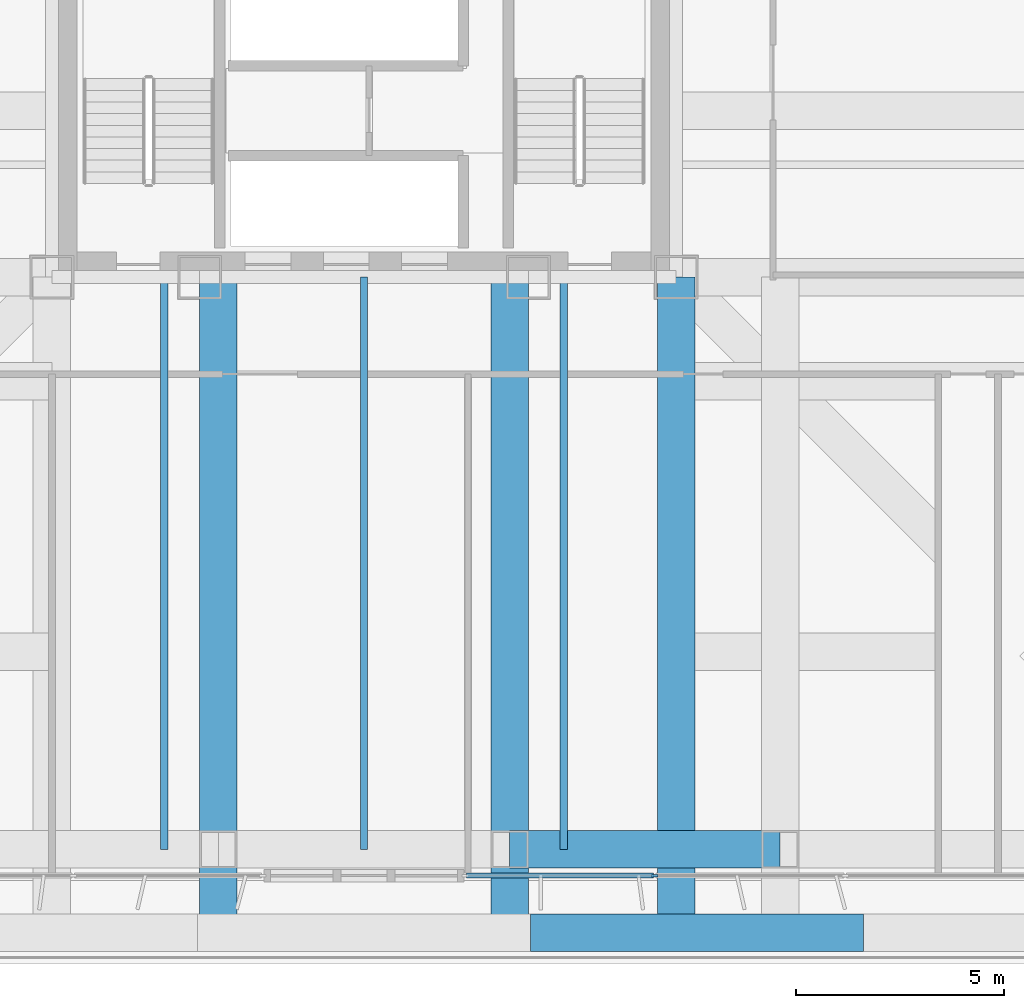
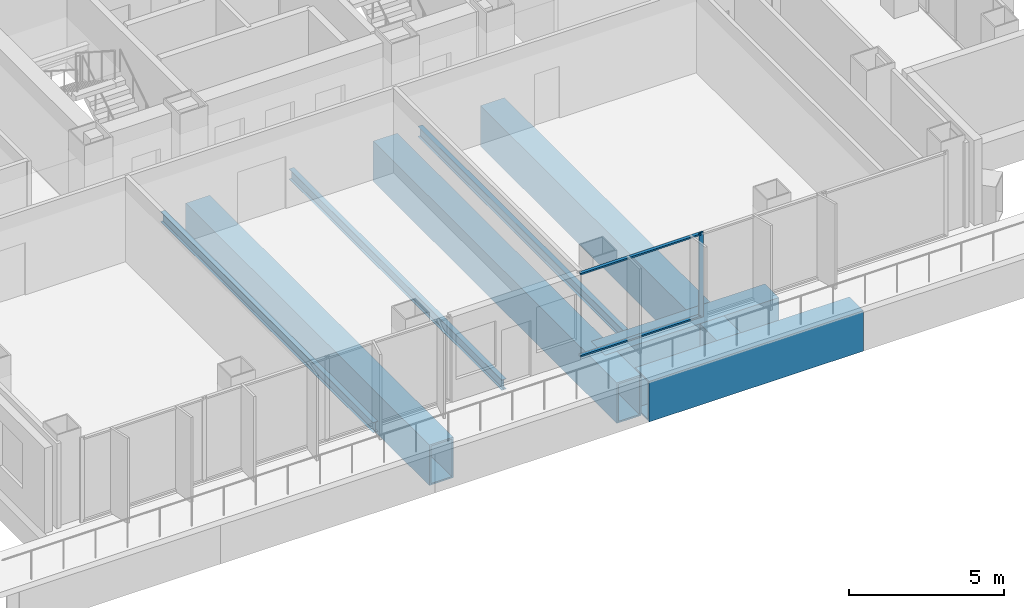
# One storey, part 3 of 17: 8 beams, 3 members, 1 element without a shape of its own.
"""IFC4 building model written with IfcOpenShell, lengths in metres."""

from ifc_helpers import new_model, si_unit, direction, frame, origin, origin_2d, place, context, subcontext, project, spatial, rectangle, hollow_rectangle, i_section, extrude, material, layer, layer_set, material_profile, profile_set, type_object, element, aggregate, save


model = new_model("IFC4")

# Units and contexts
model_context = context("Model", 3, precision=1e-05, world=origin(), true_north=direction((0.0, 1.0)))
body_context = subcontext(model_context, "Body", "Model", "MODEL_VIEW")
ifc_project = project(units=[si_unit("LENGTHUNIT", "METRE"), si_unit("AREAUNIT", "SQUARE_METRE"), si_unit("VOLUMEUNIT", "CUBIC_METRE"), si_unit("PLANEANGLEUNIT", "RADIAN"), si_unit("MASSUNIT", "GRAM", prefix="KILO")], contexts=[model_context])

# Site, building, storey
site_placement = place(None, origin())
site = spatial("IfcSite", under=ifc_project, at=site_placement, CompositionType="ELEMENT")
building_placement = place(site_placement, origin())
building = spatial("IfcBuilding", under=site, at=building_placement, Name="Trevonay Congress Spire", CompositionType="ELEMENT")
storey_placement = place(building_placement, frame((0.0, 0.0, 94.0)))
storey = spatial("IfcBuildingStorey", under=building, at=storey_placement, Name="L23", CompositionType="ELEMENT", Elevation=94.0)

# Beams
ifc_material_1 = material(Name="Steel ASTM A572 Grade 50", Category="steel")
ifc_material_profile_1 = material_profile(ifc_material_1, hollow_rectangle(XDim=0.89990234375, YDim=1.60009765625, WallThickness=0.06005859375, at=origin_2d()), Name="BOX 1600x900x60")
ifc_profile_set_1 = profile_set([ifc_material_profile_1], Name="Steel ASTM A572 Grade 50")
beam_type_1 = type_object("IfcBeamType", Name="BM-RING-BOX1600", PredefinedType="BEAM", material=ifc_profile_set_1)
beam_1_placement = place(storey_placement, frame((3.5, -21.25, -1.199951171875), z_axis=(1.0, 0.0, 0.0), x_axis=(0.0, 1.0, 0.0)))
element("IfcBeam", 1, at=beam_1_placement, inside=storey, type_object=beam_type_1, Name="L23 structural beam BM-L23-PS4", PredefinedType="BEAM", context=body_context, shape_type="SweptSolid", body=[
    extrude(hollow_rectangle(XDim=0.89990234375, YDim=1.60009765625, WallThickness=0.06005859375, at=origin_2d()), origin(), (0.0, 0.0, 1.0), 6.5),
])
beam_2_placement = place(storey_placement, frame((4.0, -23.25, -1.199951171875), z_axis=(1.0, 0.0, 0.0), x_axis=(0.0, 1.0, 0.0)))
element("IfcBeam", 2, at=beam_2_placement, inside=storey, type_object=beam_type_1, Name="L23 structural beam XOUT-L23-S3", PredefinedType="BEAM", context=body_context, shape_type="SweptSolid", body=[
    extrude(hollow_rectangle(XDim=0.89990234375, YDim=1.60009765625, WallThickness=0.06005859375, at=origin_2d()), origin(), (0.0, 0.0, 1.0), 8.0),
])
ifc_material_profile_2 = material_profile(ifc_material_1, hollow_rectangle(XDim=0.89990234375, YDim=1.60009765625, WallThickness=0.06005859375, at=origin_2d()), Name="BOX 1600x900x60")
ifc_profile_set_2 = profile_set([ifc_material_profile_2], Name="Steel ASTM A572 Grade 50")
beam_type_2 = type_object("IfcBeamType", Name="BM-XFER-BOX1600", PredefinedType="BEAM", material=ifc_profile_set_2)
for number, where, z_axis, x_axis, name in (
    (3, (7.5, -7.5, -1.199951171875), (0.0, -1.0, 0.0), (1.0, 0.0, 0.0), "L23 structural beam XSPN-L23-CY-SE"),
    (4, (-3.5, -7.5, -1.199951171875), (0.0, -1.0, 0.0), (1.0, 0.0, 0.0), "L23 structural beam XFER-L23-S2"),
    (5, (3.5, -7.5, -1.199951171875), (0.0, -1.0, 0.0), (1.0, 0.0, 0.0), "L23 structural beam XFER-L23-S3"),
):
    element("IfcBeam", number, at=place(storey_placement, frame(where, z_axis=z_axis, x_axis=x_axis)), inside=storey, type_object=beam_type_2, Name=name, PredefinedType="BEAM", context=body_context, shape_type="SweptSolid", body=[
        extrude(hollow_rectangle(XDim=0.89990234375, YDim=1.60009765625, WallThickness=0.06005859375, at=origin_2d()), origin(), (0.0, 0.0, 1.0), 15.75),
    ])

# Curtain wall, members
ifc_material_2 = material(Name="Pale Anodised Aluminium EN AW-6063-T6", Category="aluminium")
ifc_layer = layer(ifc_material_2, 0.175048828125, Name="Pale Anodised Aluminium EN AW-6063-T6")
ifc_layer_set = layer_set([ifc_layer], Name="Pale Anodised Aluminium EN AW-6063-T6")
curtain_wall_type = type_object("IfcCurtainWallType", Name="CW-SYS03-CONGRESS-PALE-METAL", PredefinedType="NOTDEFINED", material=ifc_layer_set)
curtain_wall_placement = place(storey_placement, origin())
curtain_wall = element("IfcCurtainWall", 6, at=curtain_wall_placement, inside=storey, type_object=curtain_wall_type, Name="L23 SB unitised curtain wall", PredefinedType="NOTDEFINED")
ifc_material_profile_3 = material_profile(ifc_material_2, rectangle(XDim=0.06005859375, YDim=0.159912109375, at=origin_2d()), Name="CW-MULLION-160-ALUMINIUM")
ifc_profile_set_3 = profile_set([ifc_material_profile_3], Name="Pale Anodised Aluminium EN AW-6063-T6")
member_type_1 = type_object("IfcMemberType", Name="CW-MULLION-160-ALUMINIUM", PredefinedType="MULLION", material=ifc_profile_set_3)
member_1_placement = place(storey_placement, frame((6.9833984375, -21.8798828125, 0.0), z_axis=(0.0, 0.0, 1.0), x_axis=(0.0, 1.0, 0.0)))
member_1 = element("IfcMember", 7, at=member_1_placement, type_object=member_type_1, Name="CW03 mullion 2", PredefinedType="MULLION", context=body_context, shape_type="SweptSolid", body=[
    extrude(rectangle(XDim=0.06005859375, YDim=0.159912109375, at=origin_2d()), origin(), (0.0, 0.0, 1.0), 3.360107421875),
])
ifc_material_profile_4 = material_profile(ifc_material_2, rectangle(XDim=0.1201171875, YDim=0.06005859375, at=origin_2d()), Name="CW-TRANSOM-120-ALUMINIUM")
ifc_profile_set_4 = profile_set([ifc_material_profile_4], Name="Pale Anodised Aluminium EN AW-6063-T6")
member_type_2 = type_object("IfcMemberType", Name="CW-TRANSOM-120-ALUMINIUM", PredefinedType="USERDEFINED", material=ifc_profile_set_4)
member_2_placement = place(storey_placement, frame((2.4599609375, -21.8798828125, 0.06005859375), z_axis=(1.0, 0.0, 0.0), x_axis=(0.0, 1.0, 0.0)))
member_2 = element("IfcMember", 8, at=member_2_placement, type_object=member_type_2, Name="CW03 transom 1.1", ObjectType="TRANSOM", PredefinedType="USERDEFINED", context=body_context, shape_type="SweptSolid", body=[
    extrude(rectangle(XDim=0.1201171875, YDim=0.06005859375, at=origin_2d()), origin(), (0.0, 0.0, 1.0), 4.493408203125),
])
member_3_placement = place(storey_placement, frame((2.4599609375, -21.8798828125, 3.300048828125), z_axis=(1.0, 0.0, 0.0), x_axis=(0.0, 1.0, 0.0)))
member_3 = element("IfcMember", 9, at=member_3_placement, type_object=member_type_2, Name="CW03 transom 1.2", ObjectType="TRANSOM", PredefinedType="USERDEFINED", context=body_context, shape_type="SweptSolid", body=[
    extrude(rectangle(XDim=0.1201171875, YDim=0.06005859375, at=origin_2d()), origin(), (0.0, 0.0, 1.0), 4.493408203125),
])
aggregate(curtain_wall, [member_1, member_2, member_3])

# Beams
ifc_material_profile_5 = material_profile(ifc_material_1, i_section(OverallWidth=0.177978515625, OverallDepth=0.406982421875, WebThickness=0.0078125, FlangeThickness=0.0126953125, FilletRadius=0.012939453125, at=origin_2d()), Name="W410x60")
ifc_profile_set_5 = profile_set([ifc_material_profile_5], Name="Steel ASTM A572 Grade 50")
beam_type_3 = type_object("IfcBeamType", Name="JS-COMP-W410X60", PredefinedType="JOIST", material=ifc_profile_set_5)
for number, where, z_axis, x_axis, name in (
    (10, (-4.800048828125, -21.25, -0.603515625), (0.0, 1.0, 0.0), (-1.0, 0.0, 0.0), "L23 structural beam JS-L23-NS-S1"),
    (11, (0.0, -21.25, -0.603515625), (0.0, 1.0, 0.0), (-1.0, 0.0, 0.0), "L23 structural beam JS-L23-NS-S2"),
    (12, (4.800048828125, -21.25, -0.603515625), (0.0, 1.0, 0.0), (-1.0, 0.0, 0.0), "L23 structural beam JS-L23-NS-S3"),
):
    element("IfcBeam", number, at=place(storey_placement, frame(where, z_axis=z_axis, x_axis=x_axis)), inside=storey, type_object=beam_type_3, Name=name, PredefinedType="JOIST", context=body_context, shape_type="SweptSolid", body=[
        extrude(i_section(OverallWidth=0.177978515625, OverallDepth=0.406982421875, WebThickness=0.0078125, FlangeThickness=0.0126953125, FilletRadius=0.012939453125, at=origin_2d()), origin(), (0.0, 0.0, 1.0), 13.75),
    ])

save(model, "model.ifc")
